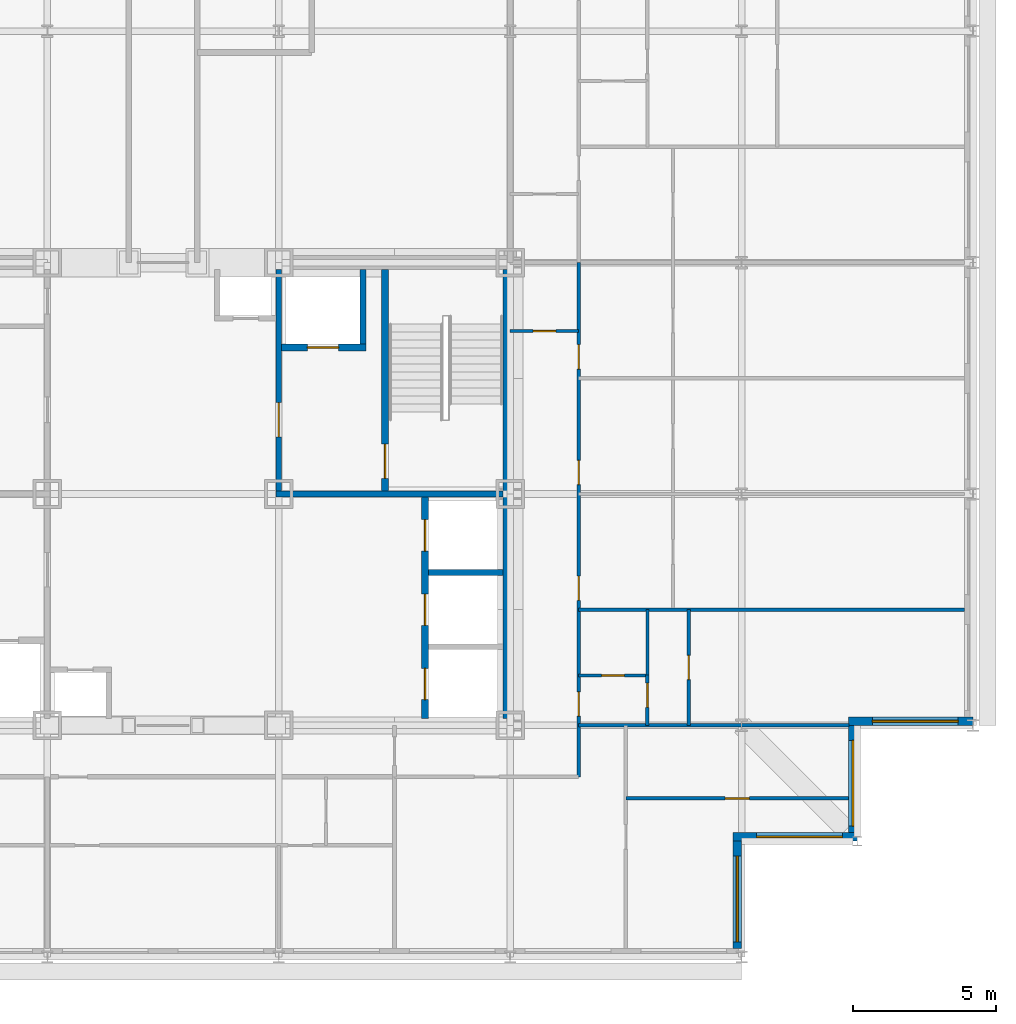
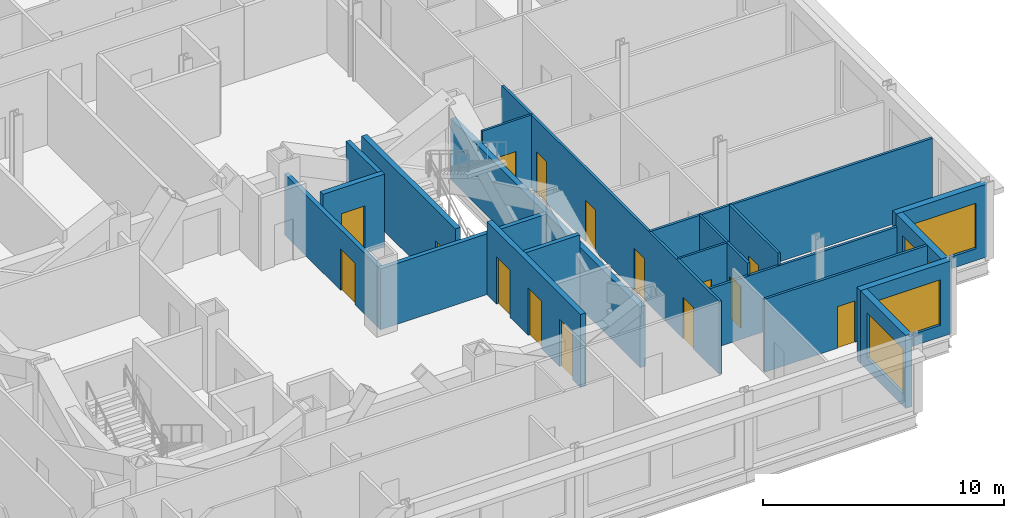
# One storey, part 10 of 15: 21 walls, 15 doors, 4 windows, 19 openings.
"""IFC4 building model written with IfcOpenShell, lengths in metres."""

from ifc_helpers import new_model, si_unit, direction, frame, frame_2d, origin, place, context, subcontext, project, spatial, rectangle, extrude, material, layer, layer_set, type_object, element, fill, save


model = new_model("IFC4")

# Units and contexts
model_context = context("Model", 3, precision=1e-05, world=origin(), true_north=direction((0.0, 1.0)))
body_context = subcontext(model_context, "Body", "Model", "MODEL_VIEW")
ifc_project = project(units=[si_unit("LENGTHUNIT", "METRE"), si_unit("AREAUNIT", "SQUARE_METRE"), si_unit("VOLUMEUNIT", "CUBIC_METRE"), si_unit("PLANEANGLEUNIT", "RADIAN"), si_unit("MASSUNIT", "GRAM", prefix="KILO")], contexts=[model_context])

# Site, building, storey
site_placement = place(None, origin())
site = spatial("IfcSite", under=ifc_project, at=site_placement, CompositionType="ELEMENT")
building_placement = place(site_placement, origin())
building = spatial("IfcBuilding", under=site, at=building_placement, Name="Kopane Lantern Tower", CompositionType="ELEMENT")
storey_placement = place(building_placement, frame((0.0, 0.0, 273.60009765625)))
storey = spatial("IfcBuildingStorey", under=building, at=storey_placement, Name="L70", CompositionType="ELEMENT", Elevation=273.60009765625)

# Wall, openings, doors
ifc_material_1 = material(Name="Gypsum board on steel studs", Category="steel")
ifc_layer_1 = layer(ifc_material_1, 0.1201171875)
ifc_layer_set_1 = layer_set([ifc_layer_1], Name="APARTMENT INTERNAL WALL 120")
wall_type_1 = type_object("IfcWallType", Name="APARTMENT INTERNAL WALL 120", PredefinedType="PARTITIONING", material=ifc_layer_set_1)
wall_1_placement = place(storey_placement, frame((42.89990234375, 22.5, 0.0), z_axis=(0.0, 0.0, 1.0), x_axis=(0.0, 1.0, 0.0)))
wall_1 = element("IfcWall", 1, at=wall_1_placement, inside=storey, type_object=wall_type_1, Name="Apartment Internal Wall 120 L70", PredefinedType="PARTITIONING", context=body_context, shape_type="SweptSolid", body=[
    extrude(rectangle(XDim=18.0, YDim=0.1201171875, at=frame_2d((9.0, 0.0))), origin(), (0.0, 0.0, 1.0), 3.68994140625),
])
opening_1_placement = place(wall_1_placement, frame((2.125, 0.0, 0.0)))
opening_1 = element("IfcOpeningElement", 2, at=opening_1_placement, cuts=wall_1, Name="Opening L70-050", PredefinedType="OPENING", context=body_context, shape_type="SweptSolid", body=[
    extrude(rectangle(XDim=0.85009765625, YDim=2.10009765625, at=frame_2d((0.425048828125, 1.050048828125))), frame((0.0, 0.070068359375, 0.0), z_axis=(0.0, -1.0, 0.0), x_axis=(1.0, 0.0, 0.0)), (0.0, 0.0, 1.0), 0.14013671875),
])
opening_2_placement = place(wall_1_placement, frame((6.175048828125, 0.0, 0.0)))
opening_2 = element("IfcOpeningElement", 3, at=opening_2_placement, cuts=wall_1, Name="Opening L70-051", PredefinedType="OPENING", context=body_context, shape_type="SweptSolid", body=[
    extrude(rectangle(XDim=0.85009765625, YDim=2.10009765625, at=frame_2d((0.425048828125, 1.050048828125))), frame((0.0, 0.070068359375, 0.0), z_axis=(0.0, -1.0, 0.0), x_axis=(1.0, 0.0, 0.0)), (0.0, 0.0, 1.0), 0.14013671875),
])
opening_3_placement = place(wall_1_placement, frame((10.22509765625, 0.0, 0.0)))
opening_3 = element("IfcOpeningElement", 4, at=opening_3_placement, cuts=wall_1, Name="Opening L70-052", PredefinedType="OPENING", context=body_context, shape_type="SweptSolid", body=[
    extrude(rectangle(XDim=0.85009765625, YDim=2.10009765625, at=frame_2d((0.425048828125, 1.050048828125))), frame((0.0, 0.070068359375, 0.0), z_axis=(0.0, -1.0, 0.0), x_axis=(1.0, 0.0, 0.0)), (0.0, 0.0, 1.0), 0.14013671875),
])
opening_4_placement = place(wall_1_placement, frame((14.27490234375, 0.0, 0.0)))
opening_4 = element("IfcOpeningElement", 5, at=opening_4_placement, cuts=wall_1, Name="Opening L70-053", PredefinedType="OPENING", context=body_context, shape_type="SweptSolid", body=[
    extrude(rectangle(XDim=0.85009765625, YDim=2.10009765625, at=frame_2d((0.425048828125, 1.050048828125))), frame((0.0, 0.070068359375, 0.0), z_axis=(0.0, -1.0, 0.0), x_axis=(1.0, 0.0, 0.0)), (0.0, 0.0, 1.0), 0.14013671875),
])
ifc_material_2 = material(Name="Timber door set", Category="wood")
door_type_1 = type_object("IfcDoorType", Name="DOOR D4 850x2100", OperationType="SINGLE_SWING_LEFT", PredefinedType="DOOR", material=ifc_material_2)
door_1_placement = place(opening_1_placement, origin())
door_1 = element("IfcDoor", 6, at=door_1_placement, inside=storey, type_object=door_type_1, Name="Door L70-050", OperationType="SINGLE_SWING_RIGHT", OverallHeight=2.10009765625, OverallWidth=0.85009765625, PredefinedType="DOOR", context=body_context, shape_type="SweptSolid", body=[
    extrude(rectangle(XDim=0.85009765625, YDim=2.10009765625, at=frame_2d((0.425048828125, 1.050048828125))), frame((0.0, 0.02490234375, 0.0), z_axis=(0.0, -1.0, 0.0), x_axis=(1.0, 0.0, 0.0)), (0.0, 0.0, 1.0), 0.050048828125),
])
fill(opening_1, door_1)
door_2_placement = place(opening_2_placement, origin())
door_2 = element("IfcDoor", 7, at=door_2_placement, inside=storey, type_object=door_type_1, Name="Door L70-051", OperationType="SINGLE_SWING_RIGHT", OverallHeight=2.10009765625, OverallWidth=0.85009765625, PredefinedType="DOOR", context=body_context, shape_type="SweptSolid", body=[
    extrude(rectangle(XDim=0.85009765625, YDim=2.10009765625, at=frame_2d((0.425048828125, 1.050048828125))), frame((0.0, 0.02490234375, 0.0), z_axis=(0.0, -1.0, 0.0), x_axis=(1.0, 0.0, 0.0)), (0.0, 0.0, 1.0), 0.050048828125),
])
fill(opening_2, door_2)
door_3_placement = place(opening_3_placement, origin())
door_3 = element("IfcDoor", 8, at=door_3_placement, inside=storey, type_object=door_type_1, Name="Door L70-052", OperationType="SINGLE_SWING_RIGHT", OverallHeight=2.10009765625, OverallWidth=0.85009765625, PredefinedType="DOOR", context=body_context, shape_type="SweptSolid", body=[
    extrude(rectangle(XDim=0.85009765625, YDim=2.10009765625, at=frame_2d((0.425048828125, 1.050048828125))), frame((0.0, 0.02490234375, 0.0), z_axis=(0.0, -1.0, 0.0), x_axis=(1.0, 0.0, 0.0)), (0.0, 0.0, 1.0), 0.050048828125),
])
fill(opening_3, door_3)
door_4_placement = place(opening_4_placement, origin())
door_4 = element("IfcDoor", 9, at=door_4_placement, inside=storey, type_object=door_type_1, Name="Door L70-053", OperationType="SINGLE_SWING_RIGHT", OverallHeight=2.10009765625, OverallWidth=0.85009765625, PredefinedType="DOOR", context=body_context, shape_type="SweptSolid", body=[
    extrude(rectangle(XDim=0.85009765625, YDim=2.10009765625, at=frame_2d((0.425048828125, 1.050048828125))), frame((0.0, 0.02490234375, 0.0), z_axis=(0.0, -1.0, 0.0), x_axis=(1.0, 0.0, 0.0)), (0.0, 0.0, 1.0), 0.050048828125),
])
fill(opening_4, door_4)

# Walls
wall_2_placement = place(storey_placement, frame((42.89990234375, 24.300048828125, 0.0), z_axis=(0.0, 0.0, 1.0), x_axis=(1.0, 0.0, 0.0)))
element("IfcWall", 10, at=wall_2_placement, inside=storey, type_object=wall_type_1, Name="Apartment Internal Wall 120 L70", PredefinedType="PARTITIONING", context=body_context, shape_type="SweptSolid", body=[
    extrude(rectangle(XDim=9.4501953125, YDim=0.1201171875, at=frame_2d((4.72509765625, 0.0))), origin(), (0.0, 0.0, 1.0), 3.07763671875),
])
wall_3_placement = place(storey_placement, frame((42.89990234375, 28.35009765625, 0.0), z_axis=(0.0, 0.0, 1.0), x_axis=(1.0, 0.0, 0.0)))
element("IfcWall", 11, at=wall_3_placement, inside=storey, type_object=wall_type_1, Name="Apartment Internal Wall 120 L70", PredefinedType="PARTITIONING", context=body_context, shape_type="SweptSolid", body=[
    extrude(rectangle(XDim=13.5, YDim=0.1201171875, at=frame_2d((6.75, 0.0))), origin(), (0.0, 0.0, 1.0), 3.68994140625),
])

# Wall, opening, door
wall_4_placement = place(storey_placement, frame((45.300048828125, 24.300048828125, 0.0), z_axis=(0.0, 0.0, 1.0), x_axis=(0.0, 1.0, 0.0)))
wall_4 = element("IfcWall", 12, at=wall_4_placement, inside=storey, type_object=wall_type_1, Name="Apartment Internal Wall 120 L70", PredefinedType="PARTITIONING", context=body_context, shape_type="SweptSolid", body=[
    extrude(rectangle(XDim=1.760009765625, YDim=0.1201171875, at=frame_2d((0.8798828125, 0.0))), origin(), (0.0, 0.0, 1.0), 3.68994140625),
])
opening_5_placement = place(wall_4_placement, frame((0.635009765625, 0.0, 0.0)))
opening_5 = element("IfcOpeningElement", 13, at=opening_5_placement, cuts=wall_4, Name="Opening L70-064", PredefinedType="OPENING", context=body_context, shape_type="SweptSolid", body=[
    extrude(rectangle(XDim=0.85009765625, YDim=2.10009765625, at=frame_2d((0.425048828125, 1.050048828125))), frame((0.0, 0.070068359375, 0.0), z_axis=(0.0, -1.0, 0.0), x_axis=(1.0, 0.0, 0.0)), (0.0, 0.0, 1.0), 0.14013671875),
])
door_5_placement = place(opening_5_placement, origin())
door_5 = element("IfcDoor", 14, at=door_5_placement, inside=storey, type_object=door_type_1, Name="Door L70-064", OperationType="SINGLE_SWING_RIGHT", OverallHeight=2.10009765625, OverallWidth=0.85009765625, PredefinedType="DOOR", context=body_context, shape_type="SweptSolid", body=[
    extrude(rectangle(XDim=0.85009765625, YDim=2.10009765625, at=frame_2d((0.425048828125, 1.050048828125))), frame((0.0, 0.02490234375, 0.0), z_axis=(0.0, -1.0, 0.0), x_axis=(1.0, 0.0, 0.0)), (0.0, 0.0, 1.0), 0.050048828125),
])
fill(opening_5, door_5)

wall_5_placement = place(storey_placement, frame((44.550048828125, 21.75, 0.0), z_axis=(0.0, 0.0, 1.0), x_axis=(1.0, 0.0, 0.0)))
wall_5 = element("IfcWall", 15, at=wall_5_placement, inside=storey, type_object=wall_type_1, Name="Apartment Internal Wall 120 L70", PredefinedType="PARTITIONING", context=body_context, shape_type="SweptSolid", body=[
    extrude(rectangle(XDim=7.800048828125, YDim=0.1201171875, at=frame_2d((3.89990234375, 0.0))), origin(), (0.0, 0.0, 1.0), 3.68994140625),
])
opening_6_placement = place(wall_5_placement, frame((3.47509765625, 0.0, 0.0)))
opening_6 = element("IfcOpeningElement", 16, at=opening_6_placement, cuts=wall_5, Name="Opening L70-067", PredefinedType="OPENING", context=body_context, shape_type="SweptSolid", body=[
    extrude(rectangle(XDim=0.85009765625, YDim=2.10009765625, at=frame_2d((0.425048828125, 1.050048828125))), frame((0.0, 0.070068359375, 0.0), z_axis=(0.0, -1.0, 0.0), x_axis=(1.0, 0.0, 0.0)), (0.0, 0.0, 1.0), 0.14013671875),
])
door_6_placement = place(opening_6_placement, origin())
door_6 = element("IfcDoor", 17, at=door_6_placement, inside=storey, type_object=door_type_1, Name="Door L70-067", OperationType="SINGLE_SWING_LEFT", OverallHeight=2.10009765625, OverallWidth=0.85009765625, PredefinedType="DOOR", context=body_context, shape_type="SweptSolid", body=[
    extrude(rectangle(XDim=0.85009765625, YDim=2.10009765625, at=frame_2d((0.425048828125, 1.050048828125))), frame((0.0, 0.02490234375, 0.0), z_axis=(0.0, -1.0, 0.0), x_axis=(1.0, 0.0, 0.0)), (0.0, 0.0, 1.0), 0.050048828125),
])
fill(opening_6, door_6)

wall_6_placement = place(storey_placement, frame((46.75, 24.300048828125, 0.0), z_axis=(0.0, 0.0, 1.0), x_axis=(0.0, 1.0, 0.0)))
wall_6 = element("IfcWall", 18, at=wall_6_placement, inside=storey, type_object=wall_type_1, Name="Apartment Internal Wall 120 L70", PredefinedType="PARTITIONING", context=body_context, shape_type="SweptSolid", body=[
    extrude(rectangle(XDim=4.050048828125, YDim=0.1201171875, at=frame_2d((2.02490234375, 0.0))), origin(), (0.0, 0.0, 1.0), 3.68994140625),
])
opening_7_placement = place(wall_6_placement, frame((1.60009765625, 0.0, 0.0)))
opening_7 = element("IfcOpeningElement", 19, at=opening_7_placement, cuts=wall_6, Name="Opening L70-068", PredefinedType="OPENING", context=body_context, shape_type="SweptSolid", body=[
    extrude(rectangle(XDim=0.85009765625, YDim=2.10009765625, at=frame_2d((0.425048828125, 1.050048828125))), frame((0.0, 0.070068359375, 0.0), z_axis=(0.0, -1.0, 0.0), x_axis=(1.0, 0.0, 0.0)), (0.0, 0.0, 1.0), 0.14013671875),
])
door_7_placement = place(opening_7_placement, origin())
door_7 = element("IfcDoor", 20, at=door_7_placement, inside=storey, type_object=door_type_1, Name="Door L70-068", OperationType="SINGLE_SWING_LEFT", OverallHeight=2.10009765625, OverallWidth=0.85009765625, PredefinedType="DOOR", context=body_context, shape_type="SweptSolid", body=[
    extrude(rectangle(XDim=0.85009765625, YDim=2.10009765625, at=frame_2d((0.425048828125, 1.050048828125))), frame((0.0, 0.02490234375, 0.0), z_axis=(0.0, -1.0, 0.0), x_axis=(1.0, 0.0, 0.0)), (0.0, 0.0, 1.0), 0.050048828125),
])
fill(opening_7, door_7)

ifc_material_3 = material(Name="Moisture-resistant board on steel studs", Category="steel")
ifc_layer_2 = layer(ifc_material_3, 0.10009765625)
ifc_layer_set_2 = layer_set([ifc_layer_2], Name="BATHROOM WALL 100")
wall_type_2 = type_object("IfcWallType", Name="BATHROOM WALL 100", PredefinedType="PARTITIONING", material=ifc_layer_set_2)
wall_7_placement = place(storey_placement, frame((40.5, 38.10009765625, 0.0), z_axis=(0.0, 0.0, 1.0), x_axis=(1.0, 0.0, 0.0)))
wall_7 = element("IfcWall", 21, at=wall_7_placement, inside=storey, type_object=wall_type_2, Name="Bathroom Wall 100 L70", PredefinedType="PARTITIONING", context=body_context, shape_type="SweptSolid", body=[
    extrude(rectangle(XDim=2.39990234375, YDim=0.10009765625, at=frame_2d((1.199951171875, 0.0))), origin(), (0.0, 0.0, 1.0), 3.68994140625),
])
opening_8_placement = place(wall_7_placement, frame((0.800048828125, 0.0, 0.0)))
opening_8 = element("IfcOpeningElement", 22, at=opening_8_placement, cuts=wall_7, Name="Opening L70-046", PredefinedType="OPENING", context=body_context, shape_type="SweptSolid", body=[
    extrude(rectangle(XDim=0.800048828125, YDim=2.10009765625, at=frame_2d((0.39990234375, 1.050048828125))), frame((0.0, 0.06005859375, 0.0), z_axis=(0.0, -1.0, 0.0), x_axis=(1.0, 0.0, 0.0)), (0.0, 0.0, 1.0), 0.1201171875),
])
ifc_material_4 = material(Name="Timber door set", Category="wood")
door_type_2 = type_object("IfcDoorType", Name="DOOR D2 800x2100", OperationType="SINGLE_SWING_LEFT", PredefinedType="DOOR", material=ifc_material_4)
door_8_placement = place(opening_8_placement, origin())
door_8 = element("IfcDoor", 23, at=door_8_placement, inside=storey, type_object=door_type_2, Name="Door L70-046", OperationType="SINGLE_SWING_LEFT", OverallHeight=2.10009765625, OverallWidth=0.800048828125, PredefinedType="DOOR", context=body_context, shape_type="SweptSolid", body=[
    extrude(rectangle(XDim=0.800048828125, YDim=2.10009765625, at=frame_2d((0.39990234375, 1.050048828125))), frame((0.0, 0.02490234375, 0.0), z_axis=(0.0, -1.0, 0.0), x_axis=(1.0, 0.0, 0.0)), (0.0, 0.0, 1.0), 0.050048828125),
])
fill(opening_8, door_8)

wall_8_placement = place(storey_placement, frame((42.89990234375, 26.050048828125, 0.0), z_axis=(0.0, 0.0, 1.0), x_axis=(1.0, 0.0, 0.0)))
wall_8 = element("IfcWall", 24, at=wall_8_placement, inside=storey, type_object=wall_type_2, Name="Bathroom Wall 100 L70", PredefinedType="PARTITIONING", context=body_context, shape_type="SweptSolid", body=[
    extrude(rectangle(XDim=2.400146484375, YDim=0.10009765625, at=frame_2d((1.2001953125, 0.0))), origin(), (0.0, 0.0, 1.0), 3.68994140625),
])
opening_9_placement = place(wall_8_placement, frame((0.800048828125, 0.0, 0.0)))
opening_9 = element("IfcOpeningElement", 25, at=opening_9_placement, cuts=wall_8, Name="Opening L70-049", PredefinedType="OPENING", context=body_context, shape_type="SweptSolid", body=[
    extrude(rectangle(XDim=0.800048828125, YDim=2.10009765625, at=frame_2d((0.39990234375, 1.050048828125))), frame((0.0, 0.06005859375, 0.0), z_axis=(0.0, -1.0, 0.0), x_axis=(1.0, 0.0, 0.0)), (0.0, 0.0, 1.0), 0.1201171875),
])
door_9_placement = place(opening_9_placement, origin())
door_9 = element("IfcDoor", 26, at=door_9_placement, inside=storey, type_object=door_type_2, Name="Door L70-049", OperationType="SINGLE_SWING_LEFT", OverallHeight=2.10009765625, OverallWidth=0.800048828125, PredefinedType="DOOR", context=body_context, shape_type="SweptSolid", body=[
    extrude(rectangle(XDim=0.800048828125, YDim=2.10009765625, at=frame_2d((0.39990234375, 1.050048828125))), frame((0.0, 0.02490234375, 0.0), z_axis=(0.0, -1.0, 0.0), x_axis=(1.0, 0.0, 0.0)), (0.0, 0.0, 1.0), 0.050048828125),
])
fill(opening_9, door_9)

# Walls
wall_9_placement = place(storey_placement, frame((45.300048828125, 26.050048828125, 0.0), z_axis=(0.0, 0.0, 1.0), x_axis=(0.0, 1.0, 0.0)))
element("IfcWall", 27, at=wall_9_placement, inside=storey, type_object=wall_type_2, Name="Bathroom Wall 100 L70", PredefinedType="PARTITIONING", context=body_context, shape_type="SweptSolid", body=[
    extrude(rectangle(XDim=2.300048828125, YDim=0.10009765625, at=frame_2d((1.14990234375, 0.0))), origin(), (0.0, 0.0, 1.0), 3.68994140625),
])
ifc_material_5 = material(Name="Gypsum shaft wall EI 120", Category="gypsum")
ifc_layer_3 = layer(ifc_material_5, 0.25)
ifc_layer_set_3 = layer_set([ifc_layer_3], Name="CORE SHAFT WALL 250 EI 120")
wall_type_3 = type_object("IfcWallType", Name="CORE SHAFT WALL 250 EI 120", PredefinedType="SOLIDWALL", material=ifc_layer_set_3)
wall_10_placement = place(storey_placement, frame((40.375, 24.550048828125, 0.0), z_axis=(0.0, 0.0, 1.0), x_axis=(0.0, 1.0, 0.0)))
element("IfcWall", 28, at=wall_10_placement, inside=storey, type_object=wall_type_3, Name="Core shaft wall L70 PE", PredefinedType="SOLIDWALL", context=body_context, shape_type="SweptSolid", body=[
    extrude(rectangle(XDim=15.699951171875, YDim=0.25, at=frame_2d((7.85009765625, 0.0))), origin(), (0.0, 0.0, 1.0), 3.07763671875),
])

# Wall, openings, doors
wall_11_placement = place(storey_placement, frame((37.52490234375, 24.550048828125, 0.0), z_axis=(0.0, 0.0, 1.0), x_axis=(0.0, 1.0, 0.0)))
wall_11 = element("IfcWall", 29, at=wall_11_placement, inside=storey, type_object=wall_type_3, Name="Core shaft wall L70 XLR", PredefinedType="SOLIDWALL", context=body_context, shape_type="SweptSolid", body=[
    extrude(rectangle(XDim=7.75, YDim=0.25, at=frame_2d((3.875, 0.0))), origin(), (0.0, 0.0, 1.0), 3.68994140625),
])
opening_10_placement = place(wall_11_placement, frame((0.64990234375, 0.0, 0.0)))
opening_10 = element("IfcOpeningElement", 30, at=opening_10_placement, cuts=wall_11, Name="Opening 70.LD-LR1", PredefinedType="OPENING", context=body_context, shape_type="SweptSolid", body=[
    extrude(rectangle(XDim=1.10009765625, YDim=2.39990234375, at=frame_2d((0.550048828125, 1.199951171875))), frame((0.0, 0.135009765625, 0.0), z_axis=(0.0, -1.0, 0.0), x_axis=(1.0, 0.0, 0.0)), (0.0, 0.0, 1.0), 0.27001953125),
])
opening_11_placement = place(wall_11_placement, frame((3.25, 0.0, 0.0)))
opening_11 = element("IfcOpeningElement", 31, at=opening_11_placement, cuts=wall_11, Name="Opening 70.LD-LR2", PredefinedType="OPENING", context=body_context, shape_type="SweptSolid", body=[
    extrude(rectangle(XDim=1.10009765625, YDim=2.39990234375, at=frame_2d((0.550048828125, 1.199951171875))), frame((0.0, 0.135009765625, 0.0), z_axis=(0.0, -1.0, 0.0), x_axis=(1.0, 0.0, 0.0)), (0.0, 0.0, 1.0), 0.27001953125),
])
opening_12_placement = place(wall_11_placement, frame((5.85009765625, 0.0, 0.0)))
opening_12 = element("IfcOpeningElement", 32, at=opening_12_placement, cuts=wall_11, Name="Opening 70.LD-LR3", PredefinedType="OPENING", context=body_context, shape_type="SweptSolid", body=[
    extrude(rectangle(XDim=1.10009765625, YDim=2.39990234375, at=frame_2d((0.550048828125, 1.199951171875))), frame((0.0, 0.135009765625, 0.0), z_axis=(0.0, -1.0, 0.0), x_axis=(1.0, 0.0, 0.0)), (0.0, 0.0, 1.0), 0.27001953125),
])
ifc_material_6 = material(Name="Steel door set", Category="steel")
door_type_3 = type_object("IfcDoorType", Name="LIFT LANDING DOOR 1100x2400 FD60", OperationType="DOUBLE_DOOR_SLIDING", PredefinedType="DOOR", material=ifc_material_6)
door_10_placement = place(opening_10_placement, origin())
door_10 = element("IfcDoor", 33, at=door_10_placement, inside=storey, type_object=door_type_3, Name="Landing door LR1 L70", OperationType="DOUBLE_DOOR_SLIDING", OverallHeight=2.39990234375, OverallWidth=1.10009765625, PredefinedType="DOOR", context=body_context, shape_type="SweptSolid", body=[
    extrude(rectangle(XDim=1.10009765625, YDim=2.39990234375, at=frame_2d((0.550048828125, 1.199951171875))), frame((0.0, 0.02490234375, 0.0), z_axis=(0.0, -1.0, 0.0), x_axis=(1.0, 0.0, 0.0)), (0.0, 0.0, 1.0), 0.050048828125),
])
fill(opening_10, door_10)
door_11_placement = place(opening_11_placement, origin())
door_11 = element("IfcDoor", 34, at=door_11_placement, inside=storey, type_object=door_type_3, Name="Landing door LR2 L70", OperationType="DOUBLE_DOOR_SLIDING", OverallHeight=2.39990234375, OverallWidth=1.10009765625, PredefinedType="DOOR", context=body_context, shape_type="SweptSolid", body=[
    extrude(rectangle(XDim=1.10009765625, YDim=2.39990234375, at=frame_2d((0.550048828125, 1.199951171875))), frame((0.0, 0.02490234375, 0.0), z_axis=(0.0, -1.0, 0.0), x_axis=(1.0, 0.0, 0.0)), (0.0, 0.0, 1.0), 0.050048828125),
])
fill(opening_11, door_11)
door_12_placement = place(opening_12_placement, origin())
door_12 = element("IfcDoor", 35, at=door_12_placement, inside=storey, type_object=door_type_3, Name="Landing door LR3 L70", OperationType="DOUBLE_DOOR_SLIDING", OverallHeight=2.39990234375, OverallWidth=1.10009765625, PredefinedType="DOOR", context=body_context, shape_type="SweptSolid", body=[
    extrude(rectangle(XDim=1.10009765625, YDim=2.39990234375, at=frame_2d((0.550048828125, 1.199951171875))), frame((0.0, 0.02490234375, 0.0), z_axis=(0.0, -1.0, 0.0), x_axis=(1.0, 0.0, 0.0)), (0.0, 0.0, 1.0), 0.050048828125),
])
fill(opening_12, door_12)

# Wall, opening, door
wall_12_placement = place(storey_placement, frame((36.125, 32.5, 0.0), z_axis=(0.0, 0.0, 1.0), x_axis=(0.0, 1.0, 0.0)))
wall_12 = element("IfcWall", 36, at=wall_12_placement, inside=storey, type_object=wall_type_3, Name="Core shaft wall L70 XST2", PredefinedType="SOLIDWALL", context=body_context, shape_type="SweptSolid", body=[
    extrude(rectangle(XDim=7.75, YDim=0.25, at=frame_2d((3.875, 0.0))), origin(), (0.0, 0.0, 1.0), 3.68994140625),
])
opening_13_placement = place(wall_12_placement, frame((0.449951171875, 0.0, 0.0)))
opening_13 = element("IfcOpeningElement", 37, at=opening_13_placement, cuts=wall_12, Name="Opening 70.SD2", PredefinedType="OPENING", context=body_context, shape_type="SweptSolid", body=[
    extrude(rectangle(XDim=1.199951171875, YDim=2.10009765625, at=frame_2d((0.60009765625, 1.050048828125))), frame((0.0, 0.135009765625, 0.0), z_axis=(0.0, -1.0, 0.0), x_axis=(1.0, 0.0, 0.0)), (0.0, 0.0, 1.0), 0.27001953125),
])
ifc_material_7 = material(Name="Steel door set", Category="steel")
door_type_4 = type_object("IfcDoorType", Name="STAIR DOOR 1200x2100 FD60S", OperationType="SINGLE_SWING_LEFT", PredefinedType="DOOR", material=ifc_material_7)
door_13_placement = place(opening_13_placement, origin())
door_13 = element("IfcDoor", 38, at=door_13_placement, inside=storey, type_object=door_type_4, Name="Stair door ST2 L70", OperationType="SINGLE_SWING_RIGHT", OverallHeight=2.10009765625, OverallWidth=1.199951171875, PredefinedType="DOOR", context=body_context, shape_type="SweptSolid", body=[
    extrude(rectangle(XDim=1.199951171875, YDim=2.10009765625, at=frame_2d((0.60009765625, 1.050048828125))), frame((0.0, 0.02490234375, 0.0), z_axis=(0.0, -1.0, 0.0), x_axis=(1.0, 0.0, 0.0)), (0.0, 0.0, 1.0), 0.050048828125),
])
fill(opening_13, door_13)

wall_13_placement = place(storey_placement, frame((32.5, 37.52490234375, 0.0), z_axis=(0.0, 0.0, 1.0), x_axis=(1.0, 0.0, 0.0)))
wall_13 = element("IfcWall", 39, at=wall_13_placement, inside=storey, type_object=wall_type_3, Name="Core shaft wall L70 YLF2", PredefinedType="SOLIDWALL", context=body_context, shape_type="SweptSolid", body=[
    extrude(rectangle(XDim=2.949951171875, YDim=0.25, at=frame_2d((1.47509765625, 0.0))), origin(), (0.0, 0.0, 1.0), 3.68994140625),
])
opening_14_placement = place(wall_13_placement, frame((0.89990234375, 0.0, 0.0)))
opening_14 = element("IfcOpeningElement", 40, at=opening_14_placement, cuts=wall_13, Name="Opening 70.LD-LF2", PredefinedType="OPENING", context=body_context, shape_type="SweptSolid", body=[
    extrude(rectangle(XDim=1.10009765625, YDim=2.39990234375, at=frame_2d((0.550048828125, 1.199951171875))), frame((0.0, 0.135009765625, 0.0), z_axis=(0.0, -1.0, 0.0), x_axis=(1.0, 0.0, 0.0)), (0.0, 0.0, 1.0), 0.27001953125),
])
door_14_placement = place(opening_14_placement, origin())
door_14 = element("IfcDoor", 41, at=door_14_placement, inside=storey, type_object=door_type_3, Name="Landing door LF2 L70", OperationType="DOUBLE_DOOR_SLIDING", OverallHeight=2.39990234375, OverallWidth=1.10009765625, PredefinedType="DOOR", context=body_context, shape_type="SweptSolid", body=[
    extrude(rectangle(XDim=1.10009765625, YDim=2.39990234375, at=frame_2d((0.550048828125, 1.199951171875))), frame((0.0, 0.02490234375, 0.0), z_axis=(0.0, -1.0, 0.0), x_axis=(1.0, 0.0, 0.0)), (0.0, 0.0, 1.0), 0.050048828125),
])
fill(opening_14, door_14)

# Wall, opening, window
ifc_material_8 = material(Name="Terracotta rainscreen on light steel framing", Category="masonry")
ifc_layer_4 = layer(ifc_material_8, 0.300048828125)
ifc_layer_set_4 = layer_set([ifc_layer_4], Name="EXTERNAL WALL EW1 300 TERRACOTTA")
wall_type_4 = type_object("IfcWallType", Name="EXTERNAL WALL EW1 300 TERRACOTTA", PredefinedType="SOLIDWALL", material=ifc_layer_set_4)
wall_14_placement = place(storey_placement, frame((48.449951171875, 16.5, 0.0), z_axis=(0.0, 0.0, 1.0), x_axis=(0.0, 1.0, 0.0)))
wall_14 = element("IfcWall", 42, at=wall_14_placement, inside=storey, type_object=wall_type_4, Name="External wall E L70", PredefinedType="SOLIDWALL", context=body_context, shape_type="SweptSolid", body=[
    extrude(rectangle(XDim=3.75, YDim=0.300048828125, at=frame_2d((1.875, 0.0))), origin(), (0.0, 0.0, 1.0), 3.68994140625),
])
opening_15_placement = place(wall_14_placement, frame((0.22509765625, 0.0, 0.60009765625)))
opening_15 = element("IfcOpeningElement", 43, at=opening_15_placement, cuts=wall_14, Name="Opening WR300230", PredefinedType="OPENING", context=body_context, shape_type="SweptSolid", body=[
    extrude(rectangle(XDim=3.0, YDim=2.300048828125, at=frame_2d((1.5, 1.14990234375))), frame((0.0, 0.159912109375, 0.0), z_axis=(0.0, -1.0, 0.0), x_axis=(1.0, 0.0, 0.0)), (0.0, 0.0, 1.0), 0.320068359375),
])
ifc_material_9 = material(Name="Aluminium and clear glass", Category="aluminium")
window_type = type_object("IfcWindowType", Name="RIBBON WINDOW WR300230 3000x2300", PartitioningType="SINGLE_PANEL", PredefinedType="WINDOW", material=ifc_material_9)
window_1_placement = place(opening_15_placement, origin())
window_1 = element("IfcWindow", 44, at=window_1_placement, inside=storey, type_object=window_type, Name="Window E L70", OverallHeight=2.300048828125, OverallWidth=3.0, PartitioningType="SINGLE_PANEL", PredefinedType="WINDOW", context=body_context, shape_type="SweptSolid", body=[
    extrude(rectangle(XDim=3.0, YDim=2.300048828125, at=frame_2d((1.5, 1.14990234375))), frame((0.0, 0.030029296875, 0.0), z_axis=(0.0, -1.0, 0.0), x_axis=(1.0, 0.0, 0.0)), (0.0, 0.0, 1.0), 0.06005859375),
])
fill(opening_15, window_1)

wall_15_placement = place(storey_placement, frame((48.300048828125, 20.39990234375, 0.0), z_axis=(0.0, 0.0, 1.0), x_axis=(1.0, 0.0, 0.0)))
wall_15 = element("IfcWall", 45, at=wall_15_placement, inside=storey, type_object=wall_type_4, Name="External wall S L70", PredefinedType="SOLIDWALL", context=body_context, shape_type="SweptSolid", body=[
    extrude(rectangle(XDim=4.349853515625, YDim=0.300048828125, at=frame_2d((2.1748046875, 0.0))), origin(), (0.0, 0.0, 1.0), 3.68994140625),
])
opening_16_placement = place(wall_15_placement, frame((0.824951171875, 0.0, 0.60009765625)))
opening_16 = element("IfcOpeningElement", 46, at=opening_16_placement, cuts=wall_15, Name="Opening WR300230", PredefinedType="OPENING", context=body_context, shape_type="SweptSolid", body=[
    extrude(rectangle(XDim=3.0, YDim=2.300048828125, at=frame_2d((1.5, 1.14990234375))), frame((0.0, 0.159912109375, 0.0), z_axis=(0.0, -1.0, 0.0), x_axis=(1.0, 0.0, 0.0)), (0.0, 0.0, 1.0), 0.320068359375),
])
window_2_placement = place(opening_16_placement, origin())
window_2 = element("IfcWindow", 47, at=window_2_placement, inside=storey, type_object=window_type, Name="Window S L70", OverallHeight=2.300048828125, OverallWidth=3.0, PartitioningType="SINGLE_PANEL", PredefinedType="WINDOW", context=body_context, shape_type="SweptSolid", body=[
    extrude(rectangle(XDim=3.0, YDim=2.300048828125, at=frame_2d((1.5, 1.14990234375))), frame((0.0, 0.030029296875, 0.0), z_axis=(0.0, -1.0, 0.0), x_axis=(1.0, 0.0, 0.0)), (0.0, 0.0, 1.0), 0.06005859375),
])
fill(opening_16, window_2)

wall_16_placement = place(storey_placement, frame((52.5, 20.550048828125, 0.0), z_axis=(0.0, 0.0, 1.0), x_axis=(0.0, 1.0, 0.0)))
wall_16 = element("IfcWall", 48, at=wall_16_placement, inside=storey, type_object=wall_type_4, Name="External wall E L70", PredefinedType="SOLIDWALL", context=body_context, shape_type="SweptSolid", body=[
    extrude(rectangle(XDim=3.75, YDim=0.300048828125, at=frame_2d((1.875, 0.0))), origin(), (0.0, 0.0, 1.0), 3.68994140625),
])
opening_17_placement = place(wall_16_placement, frame((0.22509765625, 0.0, 0.60009765625)))
opening_17 = element("IfcOpeningElement", 49, at=opening_17_placement, cuts=wall_16, Name="Opening WR300230", PredefinedType="OPENING", context=body_context, shape_type="SweptSolid", body=[
    extrude(rectangle(XDim=3.0, YDim=2.300048828125, at=frame_2d((1.5, 1.14990234375))), frame((0.0, 0.159912109375, 0.0), z_axis=(0.0, -1.0, 0.0), x_axis=(1.0, 0.0, 0.0)), (0.0, 0.0, 1.0), 0.320068359375),
])
window_3_placement = place(opening_17_placement, origin())
window_3 = element("IfcWindow", 50, at=window_3_placement, inside=storey, type_object=window_type, Name="Window E L70", OverallHeight=2.300048828125, OverallWidth=3.0, PartitioningType="SINGLE_PANEL", PredefinedType="WINDOW", context=body_context, shape_type="SweptSolid", body=[
    extrude(rectangle(XDim=3.0, YDim=2.300048828125, at=frame_2d((1.5, 1.14990234375))), frame((0.0, 0.030029296875, 0.0), z_axis=(0.0, -1.0, 0.0), x_axis=(1.0, 0.0, 0.0)), (0.0, 0.0, 1.0), 0.06005859375),
])
fill(opening_17, window_3)

wall_17_placement = place(storey_placement, frame((52.35009765625, 24.449951171875, 0.0), z_axis=(0.0, 0.0, 1.0), x_axis=(1.0, 0.0, 0.0)))
wall_17 = element("IfcWall", 51, at=wall_17_placement, inside=storey, type_object=wall_type_4, Name="External wall S L70", PredefinedType="SOLIDWALL", context=body_context, shape_type="SweptSolid", body=[
    extrude(rectangle(XDim=4.349853515625, YDim=0.300048828125, at=frame_2d((2.1748046875, 0.0))), origin(), (0.0, 0.0, 1.0), 3.68994140625),
])
opening_18_placement = place(wall_17_placement, frame((0.824951171875, 0.0, 0.60009765625)))
opening_18 = element("IfcOpeningElement", 52, at=opening_18_placement, cuts=wall_17, Name="Opening WR300230", PredefinedType="OPENING", context=body_context, shape_type="SweptSolid", body=[
    extrude(rectangle(XDim=3.0, YDim=2.300048828125, at=frame_2d((1.5, 1.14990234375))), frame((0.0, 0.159912109375, 0.0), z_axis=(0.0, -1.0, 0.0), x_axis=(1.0, 0.0, 0.0)), (0.0, 0.0, 1.0), 0.320068359375),
])
window_4_placement = place(opening_18_placement, origin())
window_4 = element("IfcWindow", 53, at=window_4_placement, inside=storey, type_object=window_type, Name="Window S L70", OverallHeight=2.300048828125, OverallWidth=3.0, PartitioningType="SINGLE_PANEL", PredefinedType="WINDOW", context=body_context, shape_type="SweptSolid", body=[
    extrude(rectangle(XDim=3.0, YDim=2.300048828125, at=frame_2d((1.5, 1.14990234375))), frame((0.0, 0.030029296875, 0.0), z_axis=(0.0, -1.0, 0.0), x_axis=(1.0, 0.0, 0.0)), (0.0, 0.0, 1.0), 0.06005859375),
])
fill(opening_18, window_4)

# Wall
ifc_material_10 = material(Name="Gypsum shaft wall EI 120", Category="gypsum")
ifc_layer_5 = layer(ifc_material_10, 0.199951171875)
ifc_layer_set_5 = layer_set([ifc_layer_5], Name="SHAFT WALL 200 EI 120")
wall_type_5 = type_object("IfcWallType", Name="SHAFT WALL 200 EI 120", PredefinedType="SOLIDWALL", material=ifc_layer_set_5)
wall_18_placement = place(storey_placement, frame((32.300048828125, 32.39990234375, 0.0), z_axis=(0.0, 0.0, 1.0), x_axis=(1.0, 0.0, 0.0)))
element("IfcWall", 54, at=wall_18_placement, inside=storey, type_object=wall_type_5, Name="Core shaft wall L70 Y324E", PredefinedType="SOLIDWALL", context=body_context, shape_type="SweptSolid", body=[
    extrude(rectangle(XDim=7.949951171875, YDim=0.199951171875, at=frame_2d((3.97509765625, 0.0))), origin(), (0.0, 0.0, 1.0), 3.07763671875),
])

# Wall, opening, door
wall_19_placement = place(storey_placement, frame((32.39990234375, 32.5, 0.0), z_axis=(0.0, 0.0, 1.0), x_axis=(0.0, 1.0, 0.0)))
wall_19 = element("IfcWall", 55, at=wall_19_placement, inside=storey, type_object=wall_type_5, Name="Core shaft wall L70 X324", PredefinedType="SOLIDWALL", context=body_context, shape_type="SweptSolid", body=[
    extrude(rectangle(XDim=7.75, YDim=0.199951171875, at=frame_2d((3.875, 0.0))), origin(), (0.0, 0.0, 1.0), 3.07763671875),
])
opening_19_placement = place(wall_19_placement, frame((1.89990234375, 0.0, 0.0)))
opening_19 = element("IfcOpeningElement", 56, at=opening_19_placement, cuts=wall_19, Name="Opening 70.FL2", PredefinedType="OPENING", context=body_context, shape_type="SweptSolid", body=[
    extrude(rectangle(XDim=1.199951171875, YDim=2.10009765625, at=frame_2d((0.60009765625, 1.050048828125))), frame((0.0, 0.10986328125, 0.0), z_axis=(0.0, -1.0, 0.0), x_axis=(1.0, 0.0, 0.0)), (0.0, 0.0, 1.0), 0.219970703125),
])
ifc_material_11 = material(Name="Steel door set", Category="steel")
door_type_5 = type_object("IfcDoorType", Name="FIREFIGHTING LOBBY DOOR 1200x2100 FD60S", OperationType="SINGLE_SWING_RIGHT", PredefinedType="DOOR", material=ifc_material_11)
door_15_placement = place(opening_19_placement, origin())
door_15 = element("IfcDoor", 57, at=door_15_placement, inside=storey, type_object=door_type_5, Name="Firefighting lobby door FL2 L70", OperationType="SINGLE_SWING_LEFT", OverallHeight=2.10009765625, OverallWidth=1.199951171875, PredefinedType="DOOR", context=body_context, shape_type="SweptSolid", body=[
    extrude(rectangle(XDim=1.199951171875, YDim=2.10009765625, at=frame_2d((0.60009765625, 1.050048828125))), frame((0.0, 0.02490234375, 0.0), z_axis=(0.0, -1.0, 0.0), x_axis=(1.0, 0.0, 0.0)), (0.0, 0.0, 1.0), 0.050048828125),
])
fill(opening_19, door_15)

# Walls
for number, where, z_axis, x_axis, name in (
    (58, (37.64990234375, 29.64990234375, 0.0), (0.0, 0.0, 1.0), (1.0, 0.0, 0.0), "Core shaft wall L70 YLR23"),
    (59, (35.35009765625, 37.64990234375, 0.0), (0.0, 0.0, 1.0), (0.0, 1.0, 0.0), "Core shaft wall L70 XLF2"),
):
    element("IfcWall", number, at=place(storey_placement, frame(where, z_axis=z_axis, x_axis=x_axis)), inside=storey, type_object=wall_type_5, Name=name, PredefinedType="SOLIDWALL", context=body_context, shape_type="SweptSolid", body=[
        extrude(rectangle(XDim=2.60009765625, YDim=0.199951171875, at=frame_2d((1.300048828125, 0.0))), origin(), (0.0, 0.0, 1.0), 3.68994140625),
    ])

save(model, "model.ifc")
